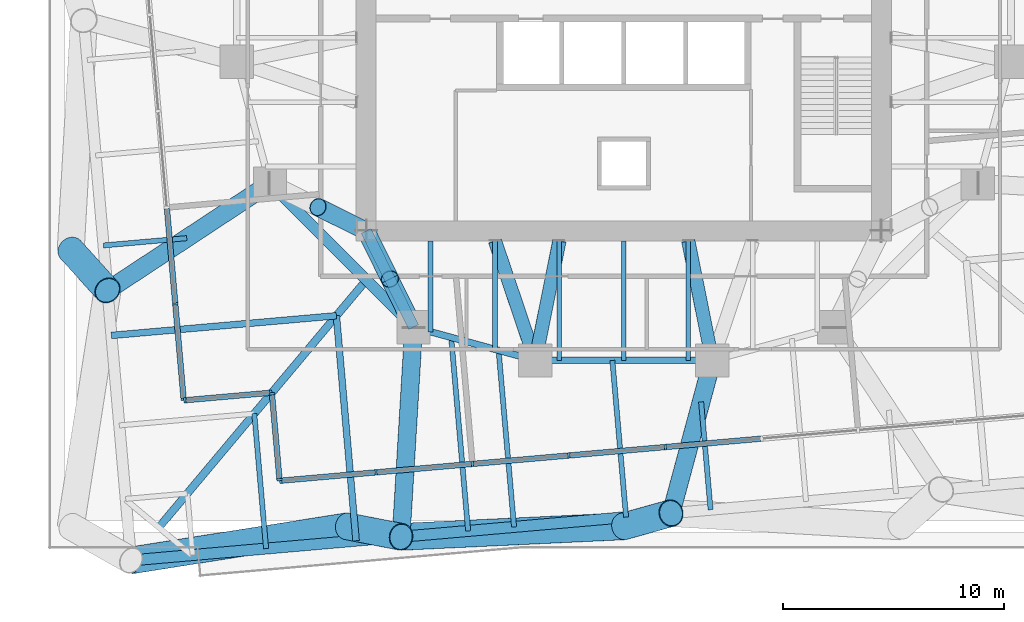
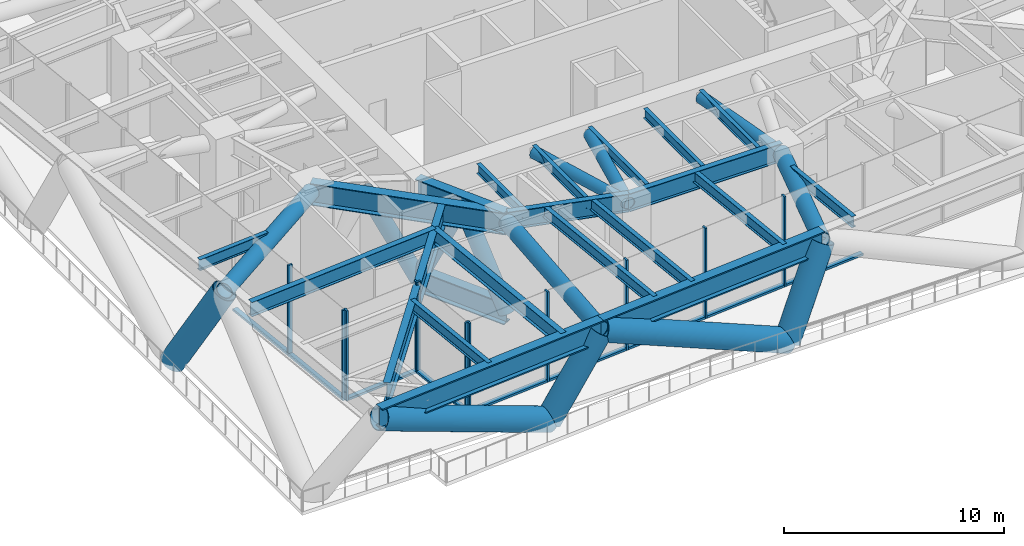
# One storey, part 2 of 14: 36 members, 19 beams, 4 elements without a shape of their own.
"""IFC4 building model written with IfcOpenShell, lengths in metres."""

from ifc_helpers import new_model, si_unit, direction, frame, origin, origin_2d, place, context, subcontext, project, spatial, rectangle, hollow_circle, i_section, extrude, material, material_profile, profile_set, type_object, element, aggregate, save


model = new_model("IFC4")

# Units and contexts
model_context = context("Model", 3, precision=1e-05, world=origin(), true_north=direction((0.0, 1.0)))
body_context = subcontext(model_context, "Body", "Model", "MODEL_VIEW")
ifc_project = project(units=[si_unit("LENGTHUNIT", "METRE"), si_unit("AREAUNIT", "SQUARE_METRE"), si_unit("VOLUMEUNIT", "CUBIC_METRE"), si_unit("PLANEANGLEUNIT", "RADIAN"), si_unit("MASSUNIT", "GRAM", prefix="KILO")], contexts=[model_context])

# Site, building, storey
site_placement = place(None, origin())
site = spatial("IfcSite", under=ifc_project, at=site_placement, CompositionType="ELEMENT")
building_placement = place(site_placement, origin())
building = spatial("IfcBuilding", under=site, at=building_placement, Name="Torsade Residences", CompositionType="ELEMENT")
storey_placement = place(building_placement, frame((0.0, 0.0, 42.199951171875)))
storey = spatial("IfcBuildingStorey", under=building, at=storey_placement, Name="L11", CompositionType="ELEMENT", Elevation=42.199951171875)

# Beams
ifc_material_1 = material(Name="Steel grade 300", Category="steel")
ifc_material_profile_1 = material_profile(ifc_material_1, i_section(OverallWidth=0.35009765625, OverallDepth=1.199951171875, WebThickness=0.01611328125, FlangeThickness=0.028076171875, at=origin_2d()), Name="1200WB278")
ifc_profile_set_1 = profile_set([ifc_material_profile_1], Name="Steel grade 300")
beam_type_1 = type_object("IfcBeamType", Name="CORNER GIRDER 1200WB278", PredefinedType="BEAM", material=ifc_profile_set_1)
beam_1_placement = place(storey_placement, frame((18.978515625, 4.947509765625, 4.25), z_axis=(0.642785419012, 0.766046281307, 0.0), x_axis=(-0.766046281307, 0.642785419012, 0.0)))
element("IfcBeam", 1, at=beam_1_placement, inside=storey, type_object=beam_type_1, Name="Corner girder 01 L12", PredefinedType="BEAM", context=body_context, shape_type="SweptSolid", body=[
    extrude(i_section(OverallWidth=0.35009765625, OverallDepth=1.199951171875, WebThickness=0.01611328125, FlangeThickness=0.028076171875, at=origin_2d()), origin(), (0.0, 0.0, 1.0), 14.603515625),
])
ifc_material_2 = material(Name="Steel grade 300", Category="steel")
ifc_material_profile_2 = material_profile(ifc_material_2, i_section(OverallWidth=0.208984375, OverallDepth=0.528076171875, WebThickness=0.009521484375, FlangeThickness=0.01318359375, FilletRadius=0.013916015625, at=origin_2d()), Name="530UB82.0")
ifc_profile_set_2 = profile_set([ifc_material_profile_2], Name="Steel grade 300")
beam_type_2 = type_object("IfcBeamType", Name="INNER FLOOR BEAM 530UB82.0", PredefinedType="JOIST", material=ifc_profile_set_2)
for number, where, z_axis, x_axis, name in (
    (2, (42.91259765625, 17.89990234375, 4.5859375), (0.0, -1.0, 0.0), (1.0, 0.0, 0.0), "Inner floor beam IS03 L12"),
    (3, (40.0, 17.89990234375, 4.5859375), (0.0, -1.0, 0.0), (1.0, 0.0, 0.0), "Inner floor beam IS04 L12"),
    (4, (37.08740234375, 17.89990234375, 4.5859375), (0.0, -1.0, 0.0), (1.0, 0.0, 0.0), "Inner floor beam IS05 L12"),
):
    element("IfcBeam", number, at=place(storey_placement, frame(where, z_axis=z_axis, x_axis=x_axis)), inside=storey, type_object=beam_type_2, Name=name, PredefinedType="JOIST", context=body_context, shape_type="SweptSolid", body=[
        extrude(i_section(OverallWidth=0.208984375, OverallDepth=0.528076171875, WebThickness=0.009521484375, FlangeThickness=0.01318359375, FilletRadius=0.013916015625, at=origin_2d()), origin(), (0.0, 0.0, 1.0), 5.39990234375),
    ])
beam_2_placement = place(storey_placement, frame((34.175048828125, 17.89990234375, 4.5859375), z_axis=(0.0, -1.0, 0.0), x_axis=(1.0, 0.0, 0.0)))
element("IfcBeam", 5, at=beam_2_placement, inside=storey, type_object=beam_type_2, Name="Inner floor beam IS06 L12", PredefinedType="JOIST", context=body_context, shape_type="SweptSolid", body=[
    extrude(i_section(OverallWidth=0.208984375, OverallDepth=0.528076171875, WebThickness=0.009521484375, FlangeThickness=0.01318359375, FilletRadius=0.013916015625, at=origin_2d()), origin(), (0.0, 0.0, 1.0), 4.902099609375),
])
beam_3_placement = place(storey_placement, frame((31.262451171875, 17.89990234375, 4.5859375), z_axis=(0.0, -1.0, 0.0), x_axis=(1.0, 0.0, 0.0)))
element("IfcBeam", 6, at=beam_3_placement, inside=storey, type_object=beam_type_2, Name="Inner floor beam IS07 L12", PredefinedType="JOIST", context=body_context, shape_type="SweptSolid", body=[
    extrude(i_section(OverallWidth=0.208984375, OverallDepth=0.528076171875, WebThickness=0.009521484375, FlangeThickness=0.01318359375, FilletRadius=0.013916015625, at=origin_2d()), origin(), (0.0, 0.0, 1.0), 4.10791015625),
])

# Members
ifc_material_3 = material(Name="Steel grade 350", Category="steel")
ifc_material_profile_3 = material_profile(ifc_material_3, i_section(OverallWidth=0.5, OverallDepth=1.199951171875, WebThickness=0.031982421875, FlangeThickness=0.050048828125, at=origin_2d()), Name="1200x500x50x32WPG")
ifc_profile_set_3 = profile_set([ifc_material_profile_3], Name="Steel grade 350")
member_type_1 = type_object("IfcMemberType", Name="OUTRIGGER CHORD", PredefinedType="CHORD", material=ifc_profile_set_3)
for number, where, z_axis, x_axis, name in (
    (7, (28.35009765625, 18.35009765625, 4.25), (0.443062937737, -0.896490509266, 0.0), (0.896490509266, 0.443062937737, 0.0), "Outrigger IR12 top chord L11"),
    (8, (28.35009765625, 18.35009765625, -0.75), (0.443062937737, -0.896490509266, 0.0), (0.896490509266, 0.443062937737, 0.0), "Outrigger IR12 bottom chord L11"),
):
    element("IfcMember", number, at=place(storey_placement, frame(where, z_axis=z_axis, x_axis=x_axis)), inside=storey, type_object=member_type_1, Name=name, PredefinedType="CHORD", context=body_context, shape_type="SweptSolid", body=[
        extrude(i_section(OverallWidth=0.5, OverallDepth=1.199951171875, WebThickness=0.031982421875, FlangeThickness=0.050048828125, at=origin_2d()), origin(), (0.0, 0.0, 1.0), 4.852294921875),
    ])
ifc_material_4 = material(Name="Steel grade 450", Category="steel")
ifc_material_profile_4 = material_profile(ifc_material_4, hollow_circle(Radius=0.406494140625, WallThickness=0.02490234375, at=origin_2d()), Name="813.0x25.0CHS")
ifc_profile_set_4 = profile_set([ifc_material_profile_4], Name="Steel grade 450")
member_type_2 = type_object("IfcMemberType", Name="OUTRIGGER DIAGONAL", PredefinedType="BRACE", material=ifc_profile_set_4)
for number, where, z_axis, x_axis, name in (
    (9, (28.35009765625, 18.35009765625, -0.75), (-0.391368316838, 0.193421786849, 0.899677082595), (-0.443062937737, -0.896490509266, 0.0), "Outrigger IR11 diagonal 1 L11"),
    (10, (28.35009765625, 18.35009765625, -0.75), (0.193421786849, -0.391368316838, 0.899677082595), (0.896490509266, 0.443062937737, 0.0), "Outrigger IR12 diagonal 1 L11"),
    (11, (30.5, 14.0, -0.75), (-0.193421786849, 0.391368316838, 0.899677082595), (-0.896490509266, -0.443062937737, 0.0), "Outrigger IR12 diagonal 2 L11"),
):
    element("IfcMember", number, at=place(storey_placement, frame(where, z_axis=z_axis, x_axis=x_axis)), inside=storey, type_object=member_type_2, Name=name, PredefinedType="BRACE", context=body_context, shape_type="SweptSolid", body=[
        extrude(hollow_circle(Radius=0.406494140625, WallThickness=0.02490234375, at=origin_2d()), origin(), (0.0, 0.0, 1.0), 5.5576171875),
    ])

# Beams
ifc_material_5 = material(Name="Steel grade 300", Category="steel")
ifc_material_profile_5 = material_profile(ifc_material_5, i_section(OverallWidth=0.5, OverallDepth=1.199951171875, WebThickness=0.01611328125, FlangeThickness=0.0400390625, at=origin_2d()), Name="1200WB455")
ifc_profile_set_5 = profile_set([ifc_material_profile_5], Name="Steel grade 300")
beam_type_3 = type_object("IfcBeamType", Name="RING CORNER GIRDER 1200WB455", PredefinedType="BEAM", material=ifc_profile_set_5)
beam_4_placement = place(storey_placement, frame((24.0, 20.5, 4.25), z_axis=(0.707106781187, -0.707106781187, 0.0), x_axis=(0.707106781187, 0.707106781187, 0.0)))
element("IfcBeam", 12, at=beam_4_placement, inside=storey, type_object=beam_type_3, Name="Ring girder IR11 L12", PredefinedType="BEAM", context=body_context, shape_type="SweptSolid", body=[
    extrude(i_section(OverallWidth=0.5, OverallDepth=1.199951171875, WebThickness=0.01611328125, FlangeThickness=0.0400390625, at=origin_2d()), origin(), (0.0, 0.0, 1.0), 9.1923828125),
])
ifc_material_6 = material(Name="Steel grade 300", Category="steel")
ifc_material_profile_6 = material_profile(ifc_material_6, i_section(OverallWidth=0.300048828125, OverallDepth=1.0, WebThickness=0.01611328125, FlangeThickness=0.028076171875, at=origin_2d()), Name="1000WB215")
ifc_profile_set_6 = profile_set([ifc_material_profile_6], Name="Steel grade 300")
beam_type_4 = type_object("IfcBeamType", Name="RING GIRDER 1000WB215", PredefinedType="BEAM", material=ifc_profile_set_6)
beam_5_placement = place(storey_placement, frame((30.5, 14.0, 4.35009765625), z_axis=(0.964763821238, -0.263117405792, 0.0), x_axis=(0.263117405792, 0.964763821238, 0.0)))
element("IfcBeam", 13, at=beam_5_placement, inside=storey, type_object=beam_type_4, Name="Ring girder IR12 L12", PredefinedType="BEAM", context=body_context, shape_type="SweptSolid", body=[
    extrude(i_section(OverallWidth=0.300048828125, OverallDepth=1.0, WebThickness=0.01611328125, FlangeThickness=0.028076171875, at=origin_2d()), origin(), (0.0, 0.0, 1.0), 5.700927734375),
])
beam_6_placement = place(storey_placement, frame((36.0, 12.5, 4.35009765625), z_axis=(1.0, 0.0, 0.0), x_axis=(0.0, 1.0, 0.0)))
element("IfcBeam", 14, at=beam_6_placement, inside=storey, type_object=beam_type_4, Name="Ring girder IR13 L12", PredefinedType="BEAM", context=body_context, shape_type="SweptSolid", body=[
    extrude(i_section(OverallWidth=0.300048828125, OverallDepth=1.0, WebThickness=0.01611328125, FlangeThickness=0.028076171875, at=origin_2d()), origin(), (0.0, 0.0, 1.0), 8.0),
])
ifc_material_7 = material(Name="Steel grade 300", Category="steel")
ifc_material_profile_7 = material_profile(ifc_material_7, i_section(OverallWidth=0.22900390625, OverallDepth=0.612060546875, WebThickness=0.011962890625, FlangeThickness=0.01953125, FilletRadius=0.013916015625, at=origin_2d()), Name="610UB125")
ifc_profile_set_7 = profile_set([ifc_material_profile_7], Name="Steel grade 300")
beam_type_5 = type_object("IfcBeamType", Name="SECONDARY BEAM 610UB125", PredefinedType="JOIST", material=ifc_profile_set_7)
beam_7_placement = place(storey_placement, frame((23.830322265625, 3.99169921875, 4.5439453125), z_axis=(-0.087171400335, 0.996193328106, 0.0), x_axis=(-0.996193328106, -0.087171400335, 0.0)))
element("IfcBeam", 15, at=beam_7_placement, inside=storey, type_object=beam_type_5, Name="Floor beam FS02 L12", PredefinedType="JOIST", context=body_context, shape_type="SweptSolid", body=[
    extrude(i_section(OverallWidth=0.22900390625, OverallDepth=0.612060546875, WebThickness=0.011962890625, FlangeThickness=0.01953125, FilletRadius=0.013916015625, at=origin_2d()), origin(), (0.0, 0.0, 1.0), 6.125244140625),
])
beam_8_placement = place(storey_placement, frame((32.9619140625, 4.790771484375, 4.5439453125), z_axis=(-0.087145563964, 0.996195588568, 0.0), x_axis=(-0.996195588568, -0.087145563964, 0.0)))
element("IfcBeam", 16, at=beam_8_placement, inside=storey, type_object=beam_type_5, Name="Floor beam FS04 L12", PredefinedType="JOIST", context=body_context, shape_type="SweptSolid", body=[
    extrude(i_section(OverallWidth=0.22900390625, OverallDepth=0.612060546875, WebThickness=0.011962890625, FlangeThickness=0.01953125, FilletRadius=0.013916015625, at=origin_2d()), origin(), (0.0, 0.0, 1.0), 8.780029296875),
])
beam_9_placement = place(storey_placement, frame((35.037353515625, 4.97216796875, 4.5439453125), z_axis=(-0.087158255311, 0.996194478268, 0.0), x_axis=(-0.996194478268, -0.087158255311, 0.0)))
element("IfcBeam", 17, at=beam_9_placement, inside=storey, type_object=beam_type_5, Name="Floor beam FS05 L12", PredefinedType="JOIST", context=body_context, shape_type="SweptSolid", body=[
    extrude(i_section(OverallWidth=0.22900390625, OverallDepth=0.612060546875, WebThickness=0.011962890625, FlangeThickness=0.01953125, FilletRadius=0.013916015625, at=origin_2d()), origin(), (0.0, 0.0, 1.0), 8.01123046875),
])
beam_10_placement = place(storey_placement, frame((40.101318359375, 5.415283203125, 4.5439453125), z_axis=(-0.087127345813, 0.996197182094, 0.0), x_axis=(-0.996197182094, -0.087127345813, 0.0)))
element("IfcBeam", 18, at=beam_10_placement, inside=storey, type_object=beam_type_5, Name="Floor beam FS06 L12", PredefinedType="JOIST", context=body_context, shape_type="SweptSolid", body=[
    extrude(i_section(OverallWidth=0.22900390625, OverallDepth=0.612060546875, WebThickness=0.011962890625, FlangeThickness=0.01953125, FilletRadius=0.013916015625, at=origin_2d()), origin(), (0.0, 0.0, 1.0), 7.11181640625),
])
beam_11_placement = place(storey_placement, frame((43.920166015625, 5.749267578125, 4.5439453125), z_axis=(-0.087152716714, 0.996194962831, 0.0), x_axis=(-0.996194962831, -0.087152716714, 0.0)))
element("IfcBeam", 19, at=beam_11_placement, inside=storey, type_object=beam_type_5, Name="Floor beam FS07 L12", PredefinedType="JOIST", context=body_context, shape_type="SweptSolid", body=[
    extrude(i_section(OverallWidth=0.22900390625, OverallDepth=0.612060546875, WebThickness=0.011962890625, FlangeThickness=0.01953125, FilletRadius=0.013916015625, at=origin_2d()), origin(), (0.0, 0.0, 1.0), 4.893798828125),
])
beam_12_placement = place(storey_placement, frame((16.48291015625, 17.6953125, 4.5439453125), z_axis=(0.996195822288, 0.087142892177, 0.0), x_axis=(-0.087142892177, 0.996195822288, 0.0)))
element("IfcBeam", 20, at=beam_12_placement, inside=storey, type_object=beam_type_5, Name="Floor beam FW09 L12", PredefinedType="JOIST", context=body_context, shape_type="SweptSolid", body=[
    extrude(i_section(OverallWidth=0.22900390625, OverallDepth=0.612060546875, WebThickness=0.011962890625, FlangeThickness=0.01953125, FilletRadius=0.013916015625, at=origin_2d()), origin(), (0.0, 0.0, 1.0), 3.776611328125),
])
ifc_material_8 = material(Name="Steel grade 300", Category="steel")
ifc_material_profile_8 = material_profile(ifc_material_8, i_section(OverallWidth=0.300048828125, OverallDepth=0.800048828125, WebThickness=0.010009765625, FlangeThickness=0.02001953125, at=origin_2d()), Name="800WB146")
ifc_profile_set_8 = profile_set([ifc_material_profile_8], Name="Steel grade 300")
beam_type_6 = type_object("IfcBeamType", Name="SECONDARY BEAM 800WB146", PredefinedType="JOIST", material=ifc_profile_set_8)
for number, where, z_axis, x_axis, name in (
    (21, (27.89794921875, 4.34765625, 4.449951171875), (-0.087149742944, 0.996195222988, 0.0), (-0.996195222988, -0.087149742944, 0.0), "Floor beam FS03 L12"),
    (22, (16.8388671875, 13.62744140625, 4.449951171875), (0.996195222988, 0.087149742944, 0.0), (-0.087149742944, 0.996195222988, 0.0), "Floor beam FW10 L12"),
):
    element("IfcBeam", number, at=place(storey_placement, frame(where, z_axis=z_axis, x_axis=x_axis)), inside=storey, type_object=beam_type_6, Name=name, PredefinedType="JOIST", context=body_context, shape_type="SweptSolid", body=[
        extrude(i_section(OverallWidth=0.300048828125, OverallDepth=0.800048828125, WebThickness=0.010009765625, FlangeThickness=0.02001953125, at=origin_2d()), origin(), (0.0, 0.0, 1.0), 10.208251953125),
    ])

# Members
ifc_material_9 = material(Name="Steel grade 450", Category="steel")
ifc_material_profile_9 = material_profile(ifc_material_9, hollow_circle(Radius=0.304931640625, WallThickness=0.01611328125, at=origin_2d()), Name="610.0x16.0CHS")
ifc_profile_set_9 = profile_set([ifc_material_profile_9], Name="Steel grade 450")
member_type_3 = type_object("IfcMemberType", Name="TRANSFER FLOOR BRACE 610.0x16.0CHS", PredefinedType="BRACE", material=ifc_profile_set_9)
member_1_placement = place(storey_placement, frame((36.0, 12.5, 4.25), z_axis=(0.197299045909, 0.97976207845, 0.03375434957), x_axis=(-0.980320704809, 0.197411538983, 0.0)))
element("IfcMember", 23, at=member_1_placement, inside=storey, type_object=member_type_3, Name="Transfer floor brace TT1 top IR13IS05", PredefinedType="BRACE", context=body_context, shape_type="SweptSolid", body=[
    extrude(hollow_circle(Radius=0.304931640625, WallThickness=0.01611328125, at=origin_2d()), origin(), (0.0, 0.0, 1.0), 5.511474609375),
])
member_2_placement = place(storey_placement, frame((36.0, 12.5, 4.25), z_axis=(-0.319999474368, 0.946855969774, 0.032620682203), x_axis=(-0.947360151124, -0.320169867513, 0.0)))
element("IfcMember", 24, at=member_2_placement, inside=storey, type_object=member_type_3, Name="Transfer floor brace TT1 top IR13IS06", PredefinedType="BRACE", context=body_context, shape_type="SweptSolid", body=[
    extrude(hollow_circle(Radius=0.304931640625, WallThickness=0.01611328125, at=origin_2d()), origin(), (0.0, 0.0, 1.0), 5.702880859375),
])
member_3_placement = place(storey_placement, frame((44.0, 12.5, 4.25), z_axis=(-0.197299045909, 0.97976207845, 0.03375434957), x_axis=(-0.980320704809, -0.197411538983, 0.0)))
element("IfcMember", 25, at=member_3_placement, inside=storey, type_object=member_type_3, Name="Transfer floor brace TT1 top IR14IS03", PredefinedType="BRACE", context=body_context, shape_type="SweptSolid", body=[
    extrude(hollow_circle(Radius=0.304931640625, WallThickness=0.01611328125, at=origin_2d()), origin(), (0.0, 0.0, 1.0), 5.511474609375),
])
ifc_material_10 = material(Name="Steel grade 450", Category="steel")
ifc_material_profile_10 = material_profile(ifc_material_10, hollow_circle(Radius=0.406494140625, WallThickness=0.02490234375, at=origin_2d()), Name="813.0x25.0CHS")
ifc_profile_set_10 = profile_set([ifc_material_profile_10], Name="Steel grade 450")
member_type_4 = type_object("IfcMemberType", Name="TRANSFER FLOOR STRUT 813.0x25.0CHS", PredefinedType="STRUT", material=ifc_profile_set_10)
member_4_placement = place(storey_placement, frame((29.931884765625, 4.525634765625, 4.25), z_axis=(0.05985589598, 0.998207028485, 0.0), x_axis=(-0.998207028485, 0.05985589598, 0.0)))
element("IfcMember", 26, at=member_4_placement, inside=storey, type_object=member_type_4, Name="Transfer floor strut TT1 top 02IR12", PredefinedType="STRUT", context=body_context, shape_type="SweptSolid", body=[
    extrude(hollow_circle(Radius=0.406494140625, WallThickness=0.02490234375, at=origin_2d()), origin(), (0.0, 0.0, 1.0), 9.491455078125),
])
member_5_placement = place(storey_placement, frame((42.13525390625, 5.59326171875, 4.25), z_axis=(0.260656310032, 0.965431658918, 0.0), x_axis=(-0.965431658918, 0.260656310032, 0.0)))
element("IfcMember", 27, at=member_5_placement, inside=storey, type_object=member_type_4, Name="Transfer floor strut TT1 top 03IR14", PredefinedType="STRUT", context=body_context, shape_type="SweptSolid", body=[
    extrude(hollow_circle(Radius=0.406494140625, WallThickness=0.02490234375, at=origin_2d()), origin(), (0.0, 0.0, 1.0), 7.154052734375),
])
member_6_placement = place(storey_placement, frame((16.660888671875, 15.661376953125, 4.25), z_axis=(0.8348807583, 0.550430848899, 0.0), x_axis=(-0.550430848899, 0.8348807583, 0.0)))
element("IfcMember", 28, at=member_6_placement, inside=storey, type_object=member_type_4, Name="Transfer floor strut TT1 top 16IR11", PredefinedType="STRUT", context=body_context, shape_type="SweptSolid", body=[
    extrude(hollow_circle(Radius=0.406494140625, WallThickness=0.02490234375, at=origin_2d()), origin(), (0.0, 0.0, 1.0), 8.79052734375),
])

# Curtain wall, members
ifc_material_11 = material(Name="Aluminium and glass", Category="aluminium")
curtain_wall_type = type_object("IfcCurtainWallType", Name="TRANSFER LEVEL CURTAIN WALL LOW ZONE", PredefinedType="NOTDEFINED", material=ifc_material_11)
curtain_wall_1_placement = place(storey_placement, origin())
curtain_wall_1 = element("IfcCurtainWall", 29, at=curtain_wall_1_placement, inside=storey, type_object=curtain_wall_type, Name="Curtain wall L11 face 1", PredefinedType="NOTDEFINED")
ifc_material_12 = material(Name="Aluminium mullion", Category="aluminium")
ifc_material_profile_11 = material_profile(ifc_material_12, rectangle(XDim=0.25, YDim=0.10009765625, at=origin_2d()), Name="TRANSFER LEVEL CURTAIN WALL MULLION 250x100")
ifc_profile_set_11 = profile_set([ifc_material_profile_11], Name="Aluminium mullion")
member_type_5 = type_object("IfcMemberType", Name="TRANSFER LEVEL CURTAIN WALL MULLION 250x100", PredefinedType="MULLION", material=ifc_profile_set_11)
member_7_placement = place(storey_placement, frame((24.490234375, 7.06103515625, 0.0), z_axis=(0.0, 0.0, 1.0), x_axis=(-0.087155741444, 0.996194698206, 0.0)))
member_7 = element("IfcMember", 30, at=member_7_placement, type_object=member_type_5, Name="Mullion 1", PredefinedType="MULLION", context=body_context, shape_type="SweptSolid", body=[
    extrude(rectangle(XDim=0.25, YDim=0.10009765625, at=origin_2d()), origin(), (0.0, 0.0, 1.0), 5.0),
])
member_8_placement = place(storey_placement, frame((28.798828125, 7.43798828125, 0.0), z_axis=(0.0, 0.0, 1.0), x_axis=(-0.087155741444, 0.996194698206, 0.0)))
member_8 = element("IfcMember", 31, at=member_8_placement, type_object=member_type_5, Name="Mullion 2", PredefinedType="MULLION", context=body_context, shape_type="SweptSolid", body=[
    extrude(rectangle(XDim=0.25, YDim=0.10009765625, at=origin_2d()), origin(), (0.0, 0.0, 1.0), 5.0),
])
member_9_placement = place(storey_placement, frame((33.1572265625, 7.819091796875, 0.0), z_axis=(0.0, 0.0, 1.0), x_axis=(-0.087155741444, 0.996194698206, 0.0)))
member_9 = element("IfcMember", 32, at=member_9_placement, type_object=member_type_5, Name="Mullion 3", PredefinedType="MULLION", context=body_context, shape_type="SweptSolid", body=[
    extrude(rectangle(XDim=0.25, YDim=0.10009765625, at=origin_2d()), origin(), (0.0, 0.0, 1.0), 5.0),
])
member_10_placement = place(storey_placement, frame((37.515380859375, 8.200439453125, 0.0), z_axis=(0.0, 0.0, 1.0), x_axis=(-0.087155741444, 0.996194698206, 0.0)))
member_10 = element("IfcMember", 33, at=member_10_placement, type_object=member_type_5, Name="Mullion 4", PredefinedType="MULLION", context=body_context, shape_type="SweptSolid", body=[
    extrude(rectangle(XDim=0.25, YDim=0.10009765625, at=origin_2d()), origin(), (0.0, 0.0, 1.0), 5.0),
])
member_11_placement = place(storey_placement, frame((41.873779296875, 8.581787109375, 0.0), z_axis=(0.0, 0.0, 1.0), x_axis=(-0.087155741444, 0.996194698206, 0.0)))
member_11 = element("IfcMember", 34, at=member_11_placement, type_object=member_type_5, Name="Mullion 5", PredefinedType="MULLION", context=body_context, shape_type="SweptSolid", body=[
    extrude(rectangle(XDim=0.25, YDim=0.10009765625, at=origin_2d()), origin(), (0.0, 0.0, 1.0), 5.0),
])

curtain_wall_2_placement = place(storey_placement, origin())
curtain_wall_2 = element("IfcCurtainWall", 35, at=curtain_wall_2_placement, inside=storey, type_object=curtain_wall_type, Name="Curtain wall L11 face 10", PredefinedType="NOTDEFINED")
member_12_placement = place(storey_placement, frame((19.725830078125, 15.051025390625, 0.0), z_axis=(0.0, 0.0, 1.0), x_axis=(0.996194698206, 0.087155741444, 0.0)))
member_12 = element("IfcMember", 36, at=member_12_placement, type_object=member_type_5, Name="Mullion 8", PredefinedType="MULLION", context=body_context, shape_type="SweptSolid", body=[
    extrude(rectangle(XDim=0.25, YDim=0.10009765625, at=origin_2d()), origin(), (0.0, 0.0, 1.0), 5.0),
])
member_13_placement = place(storey_placement, frame((20.102783203125, 10.74267578125, 0.0), z_axis=(0.0, 0.0, 1.0), x_axis=(0.996194698206, 0.087155741444, 0.0)))
member_13 = element("IfcMember", 37, at=member_13_placement, type_object=member_type_5, Name="Mullion 9", PredefinedType="MULLION", context=body_context, shape_type="SweptSolid", body=[
    extrude(rectangle(XDim=0.25, YDim=0.10009765625, at=origin_2d()), origin(), (0.0, 0.0, 1.0), 5.0),
])

curtain_wall_3_placement = place(storey_placement, origin())
curtain_wall_3 = element("IfcCurtainWall", 38, at=curtain_wall_3_placement, inside=storey, type_object=curtain_wall_type, Name="Curtain wall L11 face 11", PredefinedType="NOTDEFINED")
member_14_placement = place(storey_placement, frame((20.15673828125, 10.697021484375, 0.0), z_axis=(0.0, 0.0, 1.0), x_axis=(-0.087155745443, 0.996194697856, 0.0)))
member_14 = element("IfcMember", 39, at=member_14_placement, type_object=member_type_5, Name="Mullion 1", PredefinedType="MULLION", context=body_context, shape_type="SweptSolid", body=[
    extrude(rectangle(XDim=0.25, YDim=0.10009765625, at=origin_2d()), origin(), (0.0, 0.0, 1.0), 5.0),
])
member_15_placement = place(storey_placement, frame((24.0419921875, 11.037109375, 0.0), z_axis=(0.0, 0.0, 1.0), x_axis=(-0.087155745443, 0.996194697856, 0.0)))
member_15 = element("IfcMember", 40, at=member_15_placement, type_object=member_type_5, Name="Mullion 2", PredefinedType="MULLION", context=body_context, shape_type="SweptSolid", body=[
    extrude(rectangle(XDim=0.25, YDim=0.10009765625, at=origin_2d()), origin(), (0.0, 0.0, 1.0), 5.0),
])

curtain_wall_4_placement = place(storey_placement, origin())
curtain_wall_4 = element("IfcCurtainWall", 41, at=curtain_wall_4_placement, inside=storey, type_object=curtain_wall_type, Name="Curtain wall L11 face 12", PredefinedType="NOTDEFINED")
member_16_placement = place(storey_placement, frame((24.09619140625, 10.991455078125, 0.0), z_axis=(0.0, 0.0, 1.0), x_axis=(0.996194697856, 0.087155745443, 0.0)))
member_16 = element("IfcMember", 42, at=member_16_placement, type_object=member_type_5, Name="Mullion 1", PredefinedType="MULLION", context=body_context, shape_type="SweptSolid", body=[
    extrude(rectangle(XDim=0.25, YDim=0.10009765625, at=origin_2d()), origin(), (0.0, 0.0, 1.0), 5.0),
])
member_17_placement = place(storey_placement, frame((24.43603515625, 7.1064453125, 0.0), z_axis=(0.0, 0.0, 1.0), x_axis=(0.996194697856, 0.087155745443, 0.0)))
member_17 = element("IfcMember", 43, at=member_17_placement, type_object=member_type_5, Name="Mullion 2", PredefinedType="MULLION", context=body_context, shape_type="SweptSolid", body=[
    extrude(rectangle(XDim=0.25, YDim=0.10009765625, at=origin_2d()), origin(), (0.0, 0.0, 1.0), 5.0),
])

# Member
ifc_material_13 = material(Name="Aluminium transom", Category="aluminium")
ifc_material_profile_12 = material_profile(ifc_material_13, rectangle(XDim=0.25, YDim=0.1201171875, at=origin_2d()), Name="TRANSFER LEVEL CURTAIN WALL TRANSOM 250x120")
ifc_profile_set_12 = profile_set([ifc_material_profile_12], Name="Aluminium transom")
member_type_6 = type_object("IfcMemberType", Name="TRANSFER LEVEL CURTAIN WALL TRANSOM 250x120", PredefinedType="USERDEFINED", material=ifc_profile_set_12)
member_18_placement = place(storey_placement, frame((24.5400390625, 7.065185546875, 0.06005859375), z_axis=(0.996191208254, 0.087195622579, 0.0), x_axis=(-0.087195622579, 0.996191208254, 0.0)))
member_18 = element("IfcMember", 44, at=member_18_placement, type_object=member_type_6, Name="Transom 1.1", ObjectType="TRANSOM", PredefinedType="USERDEFINED", context=body_context, shape_type="SweptSolid", body=[
    extrude(rectangle(XDim=0.25, YDim=0.1201171875, at=origin_2d()), origin(), (0.0, 0.0, 1.0), 4.22509765625),
])

member_19_placement = place(storey_placement, frame((28.8486328125, 7.442138671875, 0.06005859375), z_axis=(0.996190493481, 0.087203788325, 0.0), x_axis=(-0.087203788325, 0.996190493481, 0.0)))
member_19 = element("IfcMember", 45, at=member_19_placement, type_object=member_type_6, Name="Transom 2.1", ObjectType="TRANSOM", PredefinedType="USERDEFINED", context=body_context, shape_type="SweptSolid", body=[
    extrude(rectangle(XDim=0.25, YDim=0.1201171875, at=origin_2d()), origin(), (0.0, 0.0, 1.0), 4.275146484375),
])

member_20_placement = place(storey_placement, frame((33.20703125, 7.823486328125, 0.06005859375), z_axis=(0.996195019197, 0.087152072424, 0.0), x_axis=(-0.087152072424, 0.996195019197, 0.0)))
member_20 = element("IfcMember", 46, at=member_20_placement, type_object=member_type_6, Name="Transom 3.1", ObjectType="TRANSOM", PredefinedType="USERDEFINED", context=body_context, shape_type="SweptSolid", body=[
    extrude(rectangle(XDim=0.25, YDim=0.1201171875, at=origin_2d()), origin(), (0.0, 0.0, 1.0), 4.27490234375),
])

member_21_placement = place(storey_placement, frame((37.565185546875, 8.204833984375, 0.06005859375), z_axis=(0.996195452949, 0.087147114263, 0.0), x_axis=(-0.087147114263, 0.996195452949, 0.0)))
member_21 = element("IfcMember", 47, at=member_21_placement, type_object=member_type_6, Name="Transom 4.1", ObjectType="TRANSOM", PredefinedType="USERDEFINED", context=body_context, shape_type="SweptSolid", body=[
    extrude(rectangle(XDim=0.25, YDim=0.1201171875, at=origin_2d()), origin(), (0.0, 0.0, 1.0), 4.275146484375),
])

member_22_placement = place(storey_placement, frame((41.923583984375, 8.586181640625, 0.06005859375), z_axis=(0.996195452949, 0.087147114263, 0.0), x_axis=(-0.087147114263, 0.996195452949, 0.0)))
member_22 = element("IfcMember", 48, at=member_22_placement, type_object=member_type_6, Name="Transom 5.1", ObjectType="TRANSOM", PredefinedType="USERDEFINED", context=body_context, shape_type="SweptSolid", body=[
    extrude(rectangle(XDim=0.25, YDim=0.1201171875, at=origin_2d()), origin(), (0.0, 0.0, 1.0), 4.275146484375),
])

aggregate(curtain_wall_1, [member_7, member_8, member_9, member_10, member_11, member_18, member_19, member_20, member_21, member_22])

member_23_placement = place(storey_placement, frame((19.348876953125, 19.359619140625, 0.06005859375), z_axis=(0.087147114263, -0.996195452949, 0.0), x_axis=(0.996195452949, 0.087147114263, 0.0)))
member_23 = element("IfcMember", 49, at=member_23_placement, type_object=member_type_6, Name="Transom 7.1", ObjectType="TRANSOM", PredefinedType="USERDEFINED", context=body_context, shape_type="SweptSolid", body=[
    extrude(rectangle(XDim=0.25, YDim=0.1201171875, at=origin_2d()), origin(), (0.0, 0.0, 1.0), 4.275146484375),
])

member_24_placement = place(storey_placement, frame((19.72998046875, 15.001220703125, 0.06005859375), z_axis=(0.087200642163, -0.996190768882, 0.0), x_axis=(0.996190768882, 0.087200642163, 0.0)))
member_24 = element("IfcMember", 50, at=member_24_placement, type_object=member_type_6, Name="Transom 8.1", ObjectType="TRANSOM", PredefinedType="USERDEFINED", context=body_context, shape_type="SweptSolid", body=[
    extrude(rectangle(XDim=0.25, YDim=0.1201171875, at=origin_2d()), origin(), (0.0, 0.0, 1.0), 4.224853515625),
])

aggregate(curtain_wall_2, [member_12, member_13, member_23, member_24])

member_25_placement = place(storey_placement, frame((20.20654296875, 10.701416015625, 0.06005859375), z_axis=(0.996192462168, 0.087181295702, 0.0), x_axis=(-0.087181295702, 0.996192462168, 0.0)))
member_25 = element("IfcMember", 51, at=member_25_placement, type_object=member_type_6, Name="Transom 1.1", ObjectType="TRANSOM", PredefinedType="USERDEFINED", context=body_context, shape_type="SweptSolid", body=[
    extrude(rectangle(XDim=0.25, YDim=0.1201171875, at=origin_2d()), origin(), (0.0, 0.0, 1.0), 3.800048828125),
])

aggregate(curtain_wall_3, [member_14, member_15, member_25])

member_26_placement = place(storey_placement, frame((24.1005859375, 10.941650390625, 0.06005859375), z_axis=(0.087123113886, -0.996197552209, 0.0), x_axis=(0.996197552209, 0.087123113886, 0.0)))
member_26 = element("IfcMember", 52, at=member_26_placement, type_object=member_type_6, Name="Transom 1.1", ObjectType="TRANSOM", PredefinedType="USERDEFINED", context=body_context, shape_type="SweptSolid", body=[
    extrude(rectangle(XDim=0.25, YDim=0.1201171875, at=origin_2d()), origin(), (0.0, 0.0, 1.0), 3.7998046875),
])

aggregate(curtain_wall_4, [member_16, member_17, member_26])

# Beams
ifc_material_14 = material(Name="Steel grade 350", Category="steel")
ifc_material_profile_13 = material_profile(ifc_material_14, i_section(OverallWidth=0.5, OverallDepth=1.199951171875, WebThickness=0.0400390625, FlangeThickness=0.070068359375, at=origin_2d()), Name="1200x500x70x40WPG")
ifc_profile_set_13 = profile_set([ifc_material_profile_13], Name="Steel grade 350")
beam_type_7 = type_object("IfcBeamType", Name="TRANSFER TRUSS CHORD 1200x500x70x40WPG", PredefinedType="USERDEFINED", material=ifc_profile_set_13)
for number, where, z_axis, x_axis, name in (
    (53, (17.728515625, 3.4580078125, 4.25), (0.996194907201, 0.08715335259, 0.0), (-0.08715335259, 0.996194907201, 0.0), "Transfer truss TT1 top chord 01"),
    (54, (29.931884765625, 4.525634765625, 4.25), (0.996194907201, 0.08715335259, 0.0), (-0.08715335259, 0.996194907201, 0.0), "Transfer truss TT1 top chord 02"),
):
    element("IfcBeam", number, at=place(storey_placement, frame(where, z_axis=z_axis, x_axis=x_axis)), inside=storey, type_object=beam_type_7, Name=name, ObjectType="TRANSFER TRUSS CHORD", PredefinedType="USERDEFINED", context=body_context, shape_type="SweptSolid", body=[
        extrude(i_section(OverallWidth=0.5, OverallDepth=1.199951171875, WebThickness=0.0400390625, FlangeThickness=0.070068359375, at=origin_2d()), origin(), (0.0, 0.0, 1.0), 12.25),
    ])

# Members
ifc_material_15 = material(Name="Steel grade 450", Category="steel")
ifc_material_profile_14 = material_profile(ifc_material_15, hollow_circle(Radius=0.609619140625, WallThickness=0.0400390625, at=origin_2d()), Name="1219.0x40.0CHS")
ifc_profile_set_14 = profile_set([ifc_material_profile_14], Name="Steel grade 450")
member_type_7 = type_object("IfcMemberType", Name="TRANSFER TRUSS DIAGONAL 1219.0x40.0CHS", PredefinedType="BRACE", material=ifc_profile_set_14)
member_27_placement = place(storey_placement, frame((27.5, 5.0, -0.199951171875), z_axis=(-0.900830246855, -0.142155802497, 0.410239678928), x_axis=(0.155876394362, -0.987776568704, 0.0)))
element("IfcMember", 55, at=member_27_placement, inside=storey, type_object=member_type_7, Name="Transfer truss TT1 diagonal 01", PredefinedType="BRACE", context=body_context, shape_type="SweptSolid", body=[
    extrude(hollow_circle(Radius=0.609619140625, WallThickness=0.0400390625, at=origin_2d()), origin(), (0.0, 0.0, 1.0), 10.84716796875),
])
member_28_placement = place(storey_placement, frame((40.0, 5.0, -0.199951171875), z_axis=(-0.913796539554, -0.043054067178, 0.403883933326), x_axis=(0.047063385903, -0.998891904916, 0.0)))
element("IfcMember", 56, at=member_28_placement, inside=storey, type_object=member_type_7, Name="Transfer truss TT1 diagonal 02", PredefinedType="BRACE", context=body_context, shape_type="SweptSolid", body=[
    extrude(hollow_circle(Radius=0.609619140625, WallThickness=0.0400390625, at=origin_2d()), origin(), (0.0, 0.0, 1.0), 11.017822265625),
])
ifc_material_16 = material(Name="Steel grade 450", Category="steel")
ifc_material_profile_15 = material_profile(ifc_material_16, hollow_circle(Radius=0.609619140625, WallThickness=0.0400390625, at=origin_2d()), Name="1219.0x40.0CHS")
ifc_profile_set_15 = profile_set([ifc_material_profile_15], Name="Steel grade 450")
member_type_8 = type_object("IfcMemberType", Name="TRANSFER TRUSS RAKING STRUT 1219.0x40.0CHS", PredefinedType="STRUT", material=ifc_profile_set_15)
member_29_placement = place(storey_placement, frame((27.5, 5.0, -0.199951171875), z_axis=(0.477472505643, -0.093136138788, 0.87369655259), x_axis=(0.191452480671, 0.981501883668, 0.0)))
element("IfcMember", 57, at=member_29_placement, inside=storey, type_object=member_type_8, Name="Transfer truss TT1 raking strut 02", PredefinedType="STRUT", context=body_context, shape_type="SweptSolid", body=[
    extrude(hollow_circle(Radius=0.609619140625, WallThickness=0.0400390625, at=origin_2d()), origin(), (0.0, 0.0, 1.0), 5.09326171875),
])
member_30_placement = place(storey_placement, frame((40.0, 5.0, -0.199951171875), z_axis=(0.429520458388, 0.119338522054, 0.89513713641), x_axis=(-0.267700681888, 0.963502125019, 0.0)))
element("IfcMember", 58, at=member_30_placement, inside=storey, type_object=member_type_8, Name="Transfer truss TT1 raking strut 03", PredefinedType="STRUT", context=body_context, shape_type="SweptSolid", body=[
    extrude(hollow_circle(Radius=0.609619140625, WallThickness=0.0400390625, at=origin_2d()), origin(), (0.0, 0.0, 1.0), 4.97119140625),
])
member_31_placement = place(storey_placement, frame((15.0, 17.5, -0.199951171875), z_axis=(0.326096321241, -0.360992414416, 0.87369655259), x_axis=(0.742063114738, 0.670330018532, 0.0)))
element("IfcMember", 59, at=member_31_placement, inside=storey, type_object=member_type_8, Name="Transfer truss TT1 raking strut 16", PredefinedType="STRUT", context=body_context, shape_type="SweptSolid", body=[
    extrude(hollow_circle(Radius=0.609619140625, WallThickness=0.0400390625, at=origin_2d()), origin(), (0.0, 0.0, 1.0), 5.09326171875),
])

save(model, "model.ifc")
